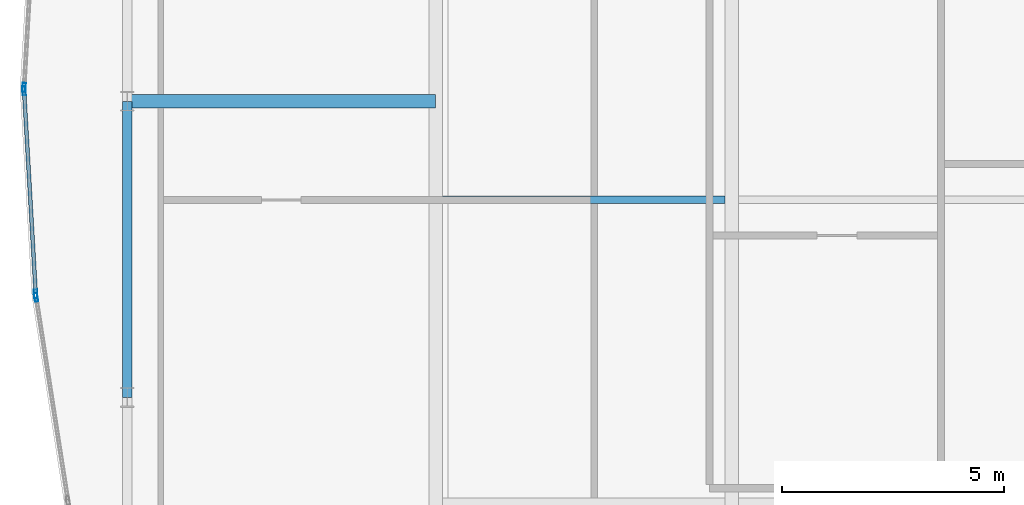
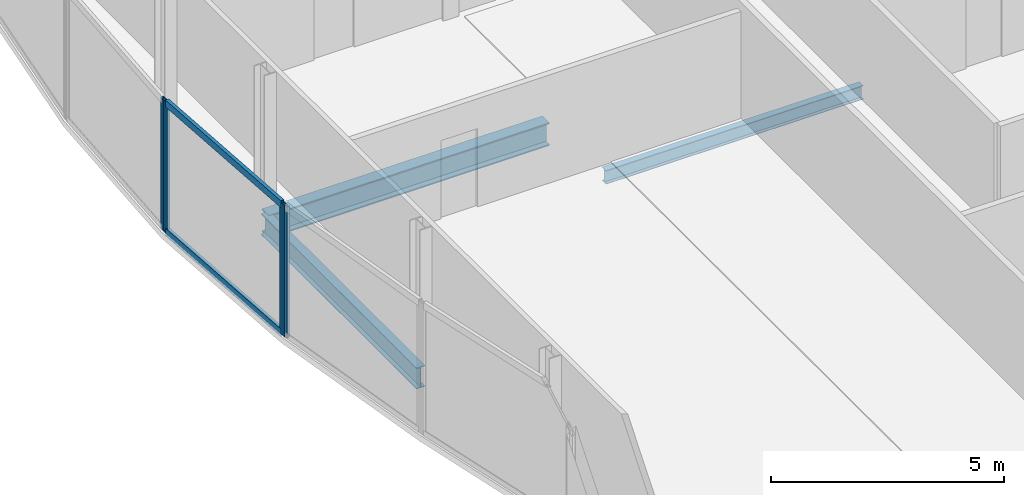
# One storey, part 11 of 29: 6 members, 3 beams, 3 elements without a shape of their own.
"""IFC4 building model written with IfcOpenShell, lengths in metres."""

from ifc_helpers import new_model, si_unit, direction, frame, origin, origin_2d, place, context, subcontext, project, spatial, hollow_rectangle, i_section, extrude, material, material_profile, profile_set, type_object, element, aggregate, save


model = new_model("IFC4")

# Units and contexts
model_context = context("Model", 3, precision=1e-05, world=origin(), true_north=direction((0.0, 1.0)))
body_context = subcontext(model_context, "Body", "Model", "MODEL_VIEW")
ifc_project = project(units=[si_unit("LENGTHUNIT", "METRE"), si_unit("AREAUNIT", "SQUARE_METRE"), si_unit("VOLUMEUNIT", "CUBIC_METRE"), si_unit("PLANEANGLEUNIT", "RADIAN"), si_unit("MASSUNIT", "GRAM", prefix="KILO")], contexts=[model_context])

# Site, building, storey
site_placement = place(None, origin())
site = spatial("IfcSite", under=ifc_project, at=site_placement, CompositionType="ELEMENT")
building_placement = place(site_placement, origin())
building = spatial("IfcBuilding", under=site, at=building_placement, Name="Khoronbel Lancet Exchange", CompositionType="ELEMENT")
storey_placement = place(building_placement, frame((0.0, 0.0, 329.0)))
storey = spatial("IfcBuildingStorey", under=building, at=storey_placement, Name="L85", CompositionType="ELEMENT", Elevation=329.0)

# Beams
ifc_material_1 = material(Name="Steel S355", Category="steel")
ifc_material_profile_1 = material_profile(ifc_material_1, i_section(OverallWidth=0.300048828125, OverallDepth=0.60009765625, WebThickness=0.015380859375, FlangeThickness=0.030029296875, at=origin_2d()), Name="HEB 600")
ifc_profile_set_1 = profile_set([ifc_material_profile_1], Name="Steel S355")
beam_type_1 = type_object("IfcBeamType", Name="BM-BG5", PredefinedType="BEAM", material=ifc_profile_set_1)
beam_1_placement = place(storey_placement, frame((11.27001953125, 31.425048828125, -0.4599609375), z_axis=(1.0, 0.0, 0.0), x_axis=(0.0, 1.0, 0.0)))
element("IfcBeam", 1, at=beam_1_placement, inside=storey, type_object=beam_type_1, Name="Level L85 west lens tie girder LG2W", PredefinedType="BEAM", context=body_context, shape_type="SweptSolid", body=[
    extrude(i_section(OverallWidth=0.300048828125, OverallDepth=0.60009765625, WebThickness=0.015380859375, FlangeThickness=0.030029296875, at=origin_2d()), origin(), (0.0, 0.0, 1.0), 6.955078125),
])
ifc_material_profile_2 = material_profile(ifc_material_1, i_section(OverallWidth=0.169921875, OverallDepth=0.360107421875, WebThickness=0.008056640625, FlangeThickness=0.0126953125, at=origin_2d()), Name="IPE 360")
ifc_profile_set_2 = profile_set([ifc_material_profile_2], Name="Steel S355")
beam_type_2 = type_object("IfcBeamType", Name="BM-BJ6", PredefinedType="JOIST", material=ifc_profile_set_2)
beam_2_placement = place(storey_placement, frame((18.375, 29.199951171875, -0.340087890625), z_axis=(1.0, 0.0, 0.0), x_axis=(0.0, 1.0, 0.0)))
element("IfcBeam", 2, at=beam_2_placement, inside=storey, type_object=beam_type_2, Name="Level L85 secondary composite joist J07", PredefinedType="JOIST", context=body_context, shape_type="SweptSolid", body=[
    extrude(i_section(OverallWidth=0.169921875, OverallDepth=0.360107421875, WebThickness=0.008056640625, FlangeThickness=0.0126953125, at=origin_2d()), origin(), (0.0, 0.0, 1.0), 6.375),
])
ifc_material_profile_3 = material_profile(ifc_material_1, i_section(OverallWidth=0.2099609375, OverallDepth=0.550048828125, WebThickness=0.010986328125, FlangeThickness=0.01708984375, at=origin_2d()), Name="IPE 550")
ifc_profile_set_3 = profile_set([ifc_material_profile_3], Name="Steel S355")
beam_type_3 = type_object("IfcBeamType", Name="BM-BSP3", PredefinedType="SPANDREL", material=ifc_profile_set_3)
beam_3_placement = place(storey_placement, frame((11.27001953125, 31.425048828125, -0.43505859375), z_axis=(0.0, -1.0, 0.0), x_axis=(1.0, 0.0, 0.0)))
element("IfcBeam", 3, at=beam_3_placement, inside=storey, type_object=beam_type_3, Name="Level L85 perimeter spandrel beam SP17", PredefinedType="SPANDREL", context=body_context, shape_type="SweptSolid", body=[
    extrude(i_section(OverallWidth=0.2099609375, OverallDepth=0.550048828125, WebThickness=0.010986328125, FlangeThickness=0.01708984375, at=origin_2d()), origin(), (0.0, 0.0, 1.0), 6.675048828125),
])

# Curtain wall, member
ifc_material_2 = material(Name="Low-E Solar Control Insulating Glass", Category="glass")
curtain_wall_type = type_object("IfcCurtainWallType", Name="CW-4", PredefinedType="NOTDEFINED", material=ifc_material_2)
curtain_wall_1_placement = place(storey_placement, origin())
curtain_wall_1 = element("IfcCurtainWall", 4, at=curtain_wall_1_placement, inside=storey, type_object=curtain_wall_type, Name="Unitised curtain wall CW-L85-E05", PredefinedType="NOTDEFINED")
ifc_material_3 = material(Name="Bronze-Anodised Aluminium 6063-T6", Category="aluminium")
ifc_material_profile_4 = material_profile(ifc_material_3, hollow_rectangle(XDim=0.074951171875, YDim=0.199951171875, WallThickness=0.0048828125, at=origin_2d()), Name="ALU MULLION 75x200")
ifc_profile_set_4 = profile_set([ifc_material_profile_4], Name="Bronze-Anodised Aluminium 6063-T6")
member_type_1 = type_object("IfcMemberType", Name="MEM-CWM2", PredefinedType="MULLION", material=ifc_profile_set_4)
member_1_placement = place(storey_placement, frame((9.216796875, 27.005859375, 0.0), z_axis=(0.0, 0.0, 1.0), x_axis=(-0.987966514912, -0.154667919789, 0.0)))
member_1 = element("IfcMember", 5, at=member_1_placement, type_object=member_type_1, Name="CW4 mullion 2", PredefinedType="MULLION", context=body_context, shape_type="SweptSolid", body=[
    extrude(hollow_rectangle(XDim=0.074951171875, YDim=0.199951171875, WallThickness=0.0048828125, at=origin_2d()), origin(), (0.0, 0.0, 1.0), 3.43994140625),
])
aggregate(curtain_wall_1, [member_1])

# Curtain wall, members
curtain_wall_2_placement = place(storey_placement, origin())
curtain_wall_2 = element("IfcCurtainWall", 6, at=curtain_wall_2_placement, inside=storey, type_object=curtain_wall_type, Name="Unitised curtain wall CW-L85-E06", PredefinedType="NOTDEFINED")
member_2_placement = place(storey_placement, frame((9.208984375, 27.080322265625, 0.0), z_axis=(0.0, 0.0, 1.0), x_axis=(-0.998361796649, -0.057216457355, 0.0)))
member_2 = element("IfcMember", 7, at=member_2_placement, type_object=member_type_1, Name="CW4 mullion 1", PredefinedType="MULLION", context=body_context, shape_type="SweptSolid", body=[
    extrude(hollow_rectangle(XDim=0.074951171875, YDim=0.199951171875, WallThickness=0.0048828125, at=origin_2d()), origin(), (0.0, 0.0, 1.0), 3.43994140625),
])
member_3_placement = place(storey_placement, frame((8.9462890625, 31.66259765625, 0.0), z_axis=(0.0, 0.0, 1.0), x_axis=(-0.998361796649, -0.057216457355, 0.0)))
member_3 = element("IfcMember", 8, at=member_3_placement, type_object=member_type_1, Name="CW4 mullion 2", PredefinedType="MULLION", context=body_context, shape_type="SweptSolid", body=[
    extrude(hollow_rectangle(XDim=0.074951171875, YDim=0.199951171875, WallThickness=0.0048828125, at=origin_2d()), origin(), (0.0, 0.0, 1.0), 3.43994140625),
])

# Curtain wall, member
curtain_wall_3_placement = place(storey_placement, origin())
curtain_wall_3 = element("IfcCurtainWall", 9, at=curtain_wall_3_placement, inside=storey, type_object=curtain_wall_type, Name="Unitised curtain wall CW-L85-E07", PredefinedType="NOTDEFINED")
member_4_placement = place(storey_placement, frame((8.9462890625, 31.737548828125, 0.0), z_axis=(0.0, 0.0, 1.0), x_axis=(-0.998361796649, 0.057216457355, 0.0)))
member_4 = element("IfcMember", 10, at=member_4_placement, type_object=member_type_1, Name="CW4 mullion 1", PredefinedType="MULLION", context=body_context, shape_type="SweptSolid", body=[
    extrude(hollow_rectangle(XDim=0.074951171875, YDim=0.199951171875, WallThickness=0.0048828125, at=origin_2d()), origin(), (0.0, 0.0, 1.0), 3.43994140625),
])
aggregate(curtain_wall_3, [member_4])

# Member
ifc_material_profile_5 = material_profile(ifc_material_3, hollow_rectangle(XDim=0.0849609375, YDim=0.179931640625, WallThickness=0.0048828125, at=origin_2d()), Name="ALU TRANSOM 85x180")
ifc_profile_set_5 = profile_set([ifc_material_profile_5], Name="Bronze-Anodised Aluminium 6063-T6")
member_type_2 = type_object("IfcMemberType", Name="MEM-CWT1", PredefinedType="USERDEFINED", material=ifc_profile_set_5)
member_5_placement = place(storey_placement, frame((9.206787109375, 27.11767578125, 0.04248046875), z_axis=(-0.057209942904, 0.998362169973, 0.0), x_axis=(-0.998362169973, -0.057209942904, 0.0)))
member_5 = element("IfcMember", 11, at=member_5_placement, type_object=member_type_2, Name="CW4 transom 1.1", ObjectType="TRANSOM", PredefinedType="USERDEFINED", context=body_context, shape_type="SweptSolid", body=[
    extrude(hollow_rectangle(XDim=0.0849609375, YDim=0.179931640625, WallThickness=0.0048828125, at=origin_2d()), origin(), (0.0, 0.0, 1.0), 4.514892578125),
])

member_6_placement = place(storey_placement, frame((9.206787109375, 27.11767578125, 3.3974609375), z_axis=(-0.057209942904, 0.998362169973, 0.0), x_axis=(-0.998362169973, -0.057209942904, 0.0)))
member_6 = element("IfcMember", 12, at=member_6_placement, type_object=member_type_2, Name="CW4 transom 1.2", ObjectType="TRANSOM", PredefinedType="USERDEFINED", context=body_context, shape_type="SweptSolid", body=[
    extrude(hollow_rectangle(XDim=0.0849609375, YDim=0.179931640625, WallThickness=0.0048828125, at=origin_2d()), origin(), (0.0, 0.0, 1.0), 4.514892578125),
])

aggregate(curtain_wall_2, [member_2, member_3, member_5, member_6])

save(model, "model.ifc")
